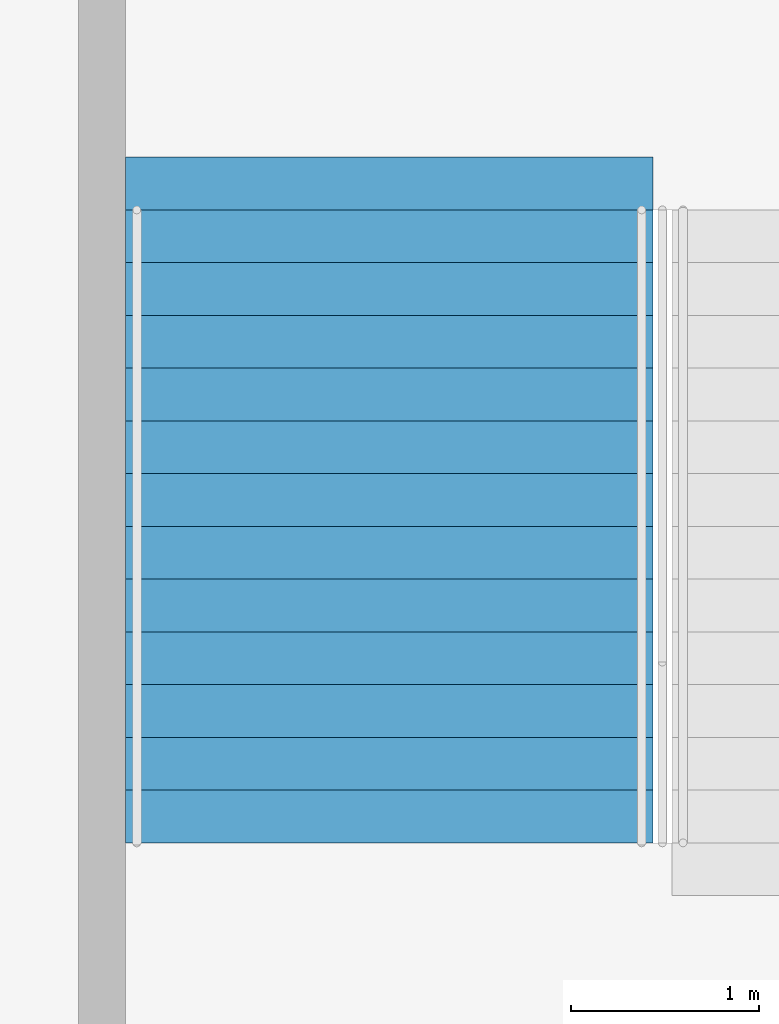
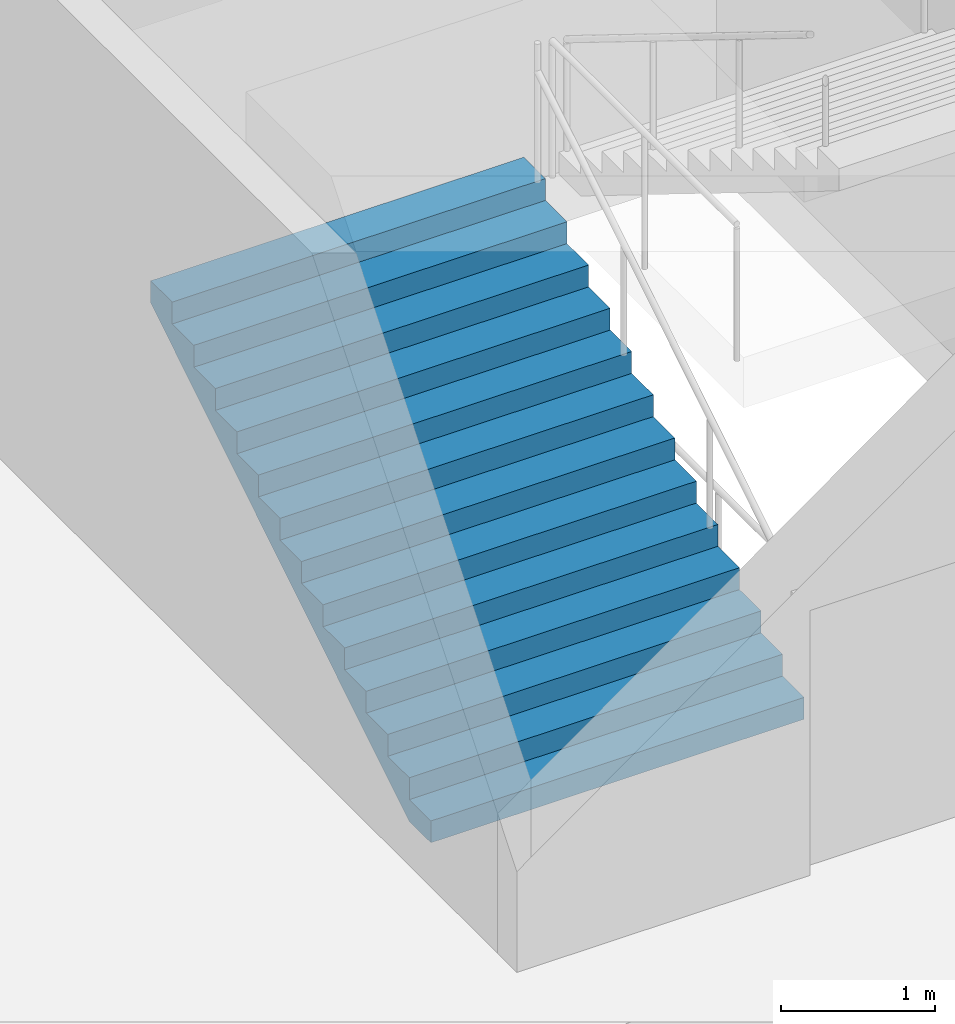
# One storey, part 167 of 199: 1 stair flight, 1 element without a shape of its own.
"""IFC4 building model written with IfcOpenShell, lengths in metres."""

from ifc_helpers import new_model, si_unit, direction, frame, origin, place, context, subcontext, project, spatial, faceted_brep, material, type_object, element, aggregate, save


model = new_model("IFC4")

# Units and contexts
model_context = context("Model", 3, precision=1e-05, world=origin(), true_north=direction((0.0, 1.0)))
body_context = subcontext(model_context, "Body", "Model", "MODEL_VIEW")
ifc_project = project(units=[si_unit("LENGTHUNIT", "METRE"), si_unit("AREAUNIT", "SQUARE_METRE"), si_unit("VOLUMEUNIT", "CUBIC_METRE"), si_unit("PLANEANGLEUNIT", "RADIAN"), si_unit("MASSUNIT", "GRAM", prefix="KILO")], contexts=[model_context])

# Site, building, storey
site_placement = place(None, origin())
site = spatial("IfcSite", under=ifc_project, at=site_placement, CompositionType="ELEMENT")
building_placement = place(site_placement, origin())
building = spatial("IfcBuilding", under=site, at=building_placement, Name="Ogive Plaza Stadium", CompositionType="ELEMENT")
storey_placement = place(building_placement, frame((0.0, 0.0, 9.0)))
storey = spatial("IfcBuildingStorey", under=building, at=storey_placement, Name="L02", CompositionType="ELEMENT", Elevation=9.0)

# Stair, stair flight
ifc_material_1 = material(Name="Concrete C40/50", Category="concrete")
stair_type = type_object("IfcStairType", Name="Exit stair", PredefinedType="STRAIGHT_RUN_STAIR", material=ifc_material_1)
stair_placement = place(storey_placement, origin())
stair = element("IfcStair", 1, at=stair_placement, inside=storey, type_object=stair_type, Name="Exit stair ST36B L02 to L03", PredefinedType="STRAIGHT_RUN_STAIR")
ifc_material_2 = material(Name="Concrete C40/50", Category="concrete")
stair_flight_type = type_object("IfcStairFlightType", Name="Exit stair flight", PredefinedType="STRAIGHT", material=ifc_material_2)
stair_flight_placement = place(storey_placement, frame((15.97509765625, 94.85009765625, 0.0), z_axis=(0.0, 0.0, 1.0), x_axis=(0.0, 1.0, 0.0)))
stair_flight = element("IfcStairFlight", 2, at=stair_flight_placement, type_object=stair_flight_type, Name="ST36B flight 1", NumberOfRisers=13, NumberOfTreads=12, PredefinedType="STRAIGHT", RiserHeight=0.173076923, TreadLength=0.28, context=body_context, shape_type="Brep", body=[
    faceted_brep([(0.28515625, -1.39990234375, 0.0), (3.639892578125, -1.39990234375, 2.07373046875), (3.639892578125, -1.39990234375, 2.25), (3.360107421875, -1.39990234375, 2.25), (3.360107421875, -1.39990234375, 2.076904296875), (3.080078125, -1.39990234375, 2.076904296875), (3.080078125, -1.39990234375, 1.90380859375), (2.800048828125, -1.39990234375, 1.90380859375), (2.800048828125, -1.39990234375, 1.730712890625), (2.52001953125, -1.39990234375, 1.730712890625), (2.52001953125, -1.39990234375, 1.5576171875), (2.239990234375, -1.39990234375, 1.5576171875), (2.239990234375, -1.39990234375, 1.384521484375), (1.9599609375, -1.39990234375, 1.384521484375), (1.9599609375, -1.39990234375, 1.21142578125), (1.679931640625, -1.39990234375, 1.21142578125), (1.679931640625, -1.39990234375, 1.03857421875), (1.39990234375, -1.39990234375, 1.03857421875), (1.39990234375, -1.39990234375, 0.865478515625), (1.1201171875, -1.39990234375, 0.865478515625), (1.1201171875, -1.39990234375, 0.6923828125), (0.840087890625, -1.39990234375, 0.6923828125), (0.840087890625, -1.39990234375, 0.519287109375), (0.56005859375, -1.39990234375, 0.519287109375), (0.56005859375, -1.39990234375, 0.34619140625), (0.280029296875, -1.39990234375, 0.34619140625), (0.280029296875, -1.39990234375, 0.173095703125), (0.0, -1.39990234375, 0.173095703125), (0.0, -1.39990234375, 0.0), (0.0, 1.39990234375, 0.0), (0.0, 1.39990234375, 0.173095703125), (0.280029296875, 1.39990234375, 0.173095703125), (0.280029296875, 1.39990234375, 0.34619140625), (0.56005859375, 1.39990234375, 0.34619140625), (0.56005859375, 1.39990234375, 0.519287109375), (0.840087890625, 1.39990234375, 0.519287109375), (0.840087890625, 1.39990234375, 0.6923828125), (1.1201171875, 1.39990234375, 0.6923828125), (1.1201171875, 1.39990234375, 0.865478515625), (1.39990234375, 1.39990234375, 0.865478515625), (1.39990234375, 1.39990234375, 1.03857421875), (1.679931640625, 1.39990234375, 1.03857421875), (1.679931640625, 1.39990234375, 1.21142578125), (1.9599609375, 1.39990234375, 1.21142578125), (1.9599609375, 1.39990234375, 1.384521484375), (2.239990234375, 1.39990234375, 1.384521484375), (2.239990234375, 1.39990234375, 1.5576171875), (2.52001953125, 1.39990234375, 1.5576171875), (2.52001953125, 1.39990234375, 1.730712890625), (2.800048828125, 1.39990234375, 1.730712890625), (2.800048828125, 1.39990234375, 1.90380859375), (3.080078125, 1.39990234375, 1.90380859375), (3.080078125, 1.39990234375, 2.076904296875), (3.360107421875, 1.39990234375, 2.076904296875), (3.360107421875, 1.39990234375, 2.25), (3.639892578125, 1.39990234375, 2.25), (3.639892578125, 1.39990234375, 2.07373046875), (0.28515625, 1.39990234375, 0.0), (0.28515625, -1.0888671875, 0.0), (3.639892578125, -1.0888671875, 2.07373046875), (0.28515625, -0.77783203125, 0.0), (3.639892578125, -0.77783203125, 2.07373046875), (0.28515625, -0.466796875, 0.0), (3.639892578125, -0.466796875, 2.07373046875), (0.28515625, -0.155517578125, 0.0), (3.639892578125, -0.155517578125, 2.07373046875), (0.28515625, 0.155517578125, 0.0), (3.639892578125, 0.155517578125, 2.07373046875), (0.28515625, 0.466796875, 0.0), (3.639892578125, 0.466796875, 2.07373046875), (0.28515625, 0.77783203125, 0.0), (3.639892578125, 0.77783203125, 2.07373046875), (0.28515625, 1.0888671875, 0.0), (3.639892578125, 1.0888671875, 2.07373046875), (3.639892578125, -1.0888671875, 2.25), (3.639892578125, -0.77783203125, 2.25), (3.639892578125, -0.466796875, 2.25), (3.639892578125, -0.155517578125, 2.25), (3.639892578125, 0.155517578125, 2.25), (3.639892578125, 0.466796875, 2.25), (3.639892578125, 0.77783203125, 2.25), (3.639892578125, 1.0888671875, 2.25), (3.360107421875, -1.0888671875, 2.25), (3.360107421875, -0.77783203125, 2.25), (3.360107421875, -0.466796875, 2.25), (3.360107421875, -0.155517578125, 2.25), (3.360107421875, 0.155517578125, 2.25), (3.360107421875, 0.466796875, 2.25), (3.360107421875, 0.77783203125, 2.25), (3.360107421875, 1.0888671875, 2.25), (3.360107421875, -1.0888671875, 2.076904296875), (3.360107421875, -0.77783203125, 2.076904296875), (3.360107421875, -0.466796875, 2.076904296875), (3.360107421875, -0.155517578125, 2.076904296875), (3.360107421875, 0.155517578125, 2.076904296875), (3.360107421875, 0.466796875, 2.076904296875), (3.360107421875, 0.77783203125, 2.076904296875), (3.360107421875, 1.0888671875, 2.076904296875), (3.080078125, -1.0888671875, 2.076904296875), (3.080078125, -0.77783203125, 2.076904296875), (3.080078125, -0.466796875, 2.076904296875), (3.080078125, -0.155517578125, 2.076904296875), (3.080078125, 0.155517578125, 2.076904296875), (3.080078125, 0.466796875, 2.076904296875), (3.080078125, 0.77783203125, 2.076904296875), (3.080078125, 1.0888671875, 2.076904296875), (3.080078125, -1.0888671875, 1.90380859375), (3.080078125, -0.77783203125, 1.90380859375), (3.080078125, -0.466796875, 1.90380859375), (3.080078125, -0.155517578125, 1.90380859375), (3.080078125, 0.155517578125, 1.90380859375), (3.080078125, 0.466796875, 1.90380859375), (3.080078125, 0.77783203125, 1.90380859375), (3.080078125, 1.0888671875, 1.90380859375), (2.800048828125, -1.0888671875, 1.90380859375), (2.800048828125, -0.77783203125, 1.90380859375), (2.800048828125, -0.466796875, 1.90380859375), (2.800048828125, -0.155517578125, 1.90380859375), (2.800048828125, 0.155517578125, 1.90380859375), (2.800048828125, 0.466796875, 1.90380859375), (2.800048828125, 0.77783203125, 1.90380859375), (2.800048828125, 1.0888671875, 1.90380859375), (2.800048828125, -1.0888671875, 1.730712890625), (2.800048828125, -0.77783203125, 1.730712890625), (2.800048828125, -0.466796875, 1.730712890625), (2.800048828125, -0.155517578125, 1.730712890625), (2.800048828125, 0.155517578125, 1.730712890625), (2.800048828125, 0.466796875, 1.730712890625), (2.800048828125, 0.77783203125, 1.730712890625), (2.800048828125, 1.0888671875, 1.730712890625), (2.52001953125, -1.0888671875, 1.730712890625), (2.52001953125, -0.77783203125, 1.730712890625), (2.52001953125, -0.466796875, 1.730712890625), (2.52001953125, -0.155517578125, 1.730712890625), (2.52001953125, 0.155517578125, 1.730712890625), (2.52001953125, 0.466796875, 1.730712890625), (2.52001953125, 0.77783203125, 1.730712890625), (2.52001953125, 1.0888671875, 1.730712890625), (2.52001953125, -1.0888671875, 1.5576171875), (2.52001953125, -0.77783203125, 1.5576171875), (2.52001953125, -0.466796875, 1.5576171875), (2.52001953125, -0.155517578125, 1.5576171875), (2.52001953125, 0.155517578125, 1.5576171875), (2.52001953125, 0.466796875, 1.5576171875), (2.52001953125, 0.77783203125, 1.5576171875), (2.52001953125, 1.0888671875, 1.5576171875), (2.239990234375, -1.0888671875, 1.5576171875), (2.239990234375, -0.77783203125, 1.5576171875), (2.239990234375, -0.466796875, 1.5576171875), (2.239990234375, -0.155517578125, 1.5576171875), (2.239990234375, 0.155517578125, 1.5576171875), (2.239990234375, 0.466796875, 1.5576171875), (2.239990234375, 0.77783203125, 1.5576171875), (2.239990234375, 1.0888671875, 1.5576171875), (2.239990234375, -1.0888671875, 1.384521484375), (2.239990234375, -0.77783203125, 1.384521484375), (2.239990234375, -0.466796875, 1.384521484375), (2.239990234375, -0.155517578125, 1.384521484375), (2.239990234375, 0.155517578125, 1.384521484375), (2.239990234375, 0.466796875, 1.384521484375), (2.239990234375, 0.77783203125, 1.384521484375), (2.239990234375, 1.0888671875, 1.384521484375), (1.9599609375, -1.0888671875, 1.384521484375), (1.9599609375, -0.77783203125, 1.384521484375), (1.9599609375, -0.466796875, 1.384521484375), (1.9599609375, -0.155517578125, 1.384521484375), (1.9599609375, 0.155517578125, 1.384521484375), (1.9599609375, 0.466796875, 1.384521484375), (1.9599609375, 0.77783203125, 1.384521484375), (1.9599609375, 1.0888671875, 1.384521484375), (1.9599609375, -1.0888671875, 1.21142578125), (1.9599609375, -0.77783203125, 1.21142578125), (1.9599609375, -0.466796875, 1.21142578125), (1.9599609375, -0.155517578125, 1.21142578125), (1.9599609375, 0.155517578125, 1.21142578125), (1.9599609375, 0.466796875, 1.21142578125), (1.9599609375, 0.77783203125, 1.21142578125), (1.9599609375, 1.0888671875, 1.21142578125), (1.679931640625, -1.0888671875, 1.21142578125), (1.679931640625, -0.77783203125, 1.21142578125), (1.679931640625, -0.466796875, 1.21142578125), (1.679931640625, -0.155517578125, 1.21142578125), (1.679931640625, 0.155517578125, 1.21142578125), (1.679931640625, 0.466796875, 1.21142578125), (1.679931640625, 0.77783203125, 1.21142578125), (1.679931640625, 1.0888671875, 1.21142578125), (1.679931640625, -1.0888671875, 1.03857421875), (1.679931640625, -0.77783203125, 1.03857421875), (1.679931640625, -0.466796875, 1.03857421875), (1.679931640625, -0.155517578125, 1.03857421875), (1.679931640625, 0.155517578125, 1.03857421875), (1.679931640625, 0.466796875, 1.03857421875), (1.679931640625, 0.77783203125, 1.03857421875), (1.679931640625, 1.0888671875, 1.03857421875), (1.39990234375, -1.0888671875, 1.03857421875), (1.39990234375, -0.77783203125, 1.03857421875), (1.39990234375, -0.466796875, 1.03857421875), (1.39990234375, -0.155517578125, 1.03857421875), (1.39990234375, 0.155517578125, 1.03857421875), (1.39990234375, 0.466796875, 1.03857421875), (1.39990234375, 0.77783203125, 1.03857421875), (1.39990234375, 1.0888671875, 1.03857421875), (1.39990234375, -1.0888671875, 0.865478515625), (1.39990234375, -0.77783203125, 0.865478515625), (1.39990234375, -0.466796875, 0.865478515625), (1.39990234375, -0.155517578125, 0.865478515625), (1.39990234375, 0.155517578125, 0.865478515625), (1.39990234375, 0.466796875, 0.865478515625), (1.39990234375, 0.77783203125, 0.865478515625), (1.39990234375, 1.0888671875, 0.865478515625), (1.1201171875, -1.0888671875, 0.865478515625), (1.1201171875, -0.77783203125, 0.865478515625), (1.1201171875, -0.466796875, 0.865478515625), (1.1201171875, -0.155517578125, 0.865478515625), (1.1201171875, 0.155517578125, 0.865478515625), (1.1201171875, 0.466796875, 0.865478515625), (1.1201171875, 0.77783203125, 0.865478515625), (1.1201171875, 1.0888671875, 0.865478515625), (1.1201171875, -1.0888671875, 0.6923828125), (1.1201171875, -0.77783203125, 0.6923828125), (1.1201171875, -0.466796875, 0.6923828125), (1.1201171875, -0.155517578125, 0.6923828125), (1.1201171875, 0.155517578125, 0.6923828125), (1.1201171875, 0.466796875, 0.6923828125), (1.1201171875, 0.77783203125, 0.6923828125), (1.1201171875, 1.0888671875, 0.6923828125), (0.840087890625, -1.0888671875, 0.6923828125), (0.840087890625, -0.77783203125, 0.6923828125), (0.840087890625, -0.466796875, 0.6923828125), (0.840087890625, -0.155517578125, 0.6923828125), (0.840087890625, 0.155517578125, 0.6923828125), (0.840087890625, 0.466796875, 0.6923828125), (0.840087890625, 0.77783203125, 0.6923828125), (0.840087890625, 1.0888671875, 0.6923828125), (0.840087890625, -1.0888671875, 0.519287109375), (0.840087890625, -0.77783203125, 0.519287109375), (0.840087890625, -0.466796875, 0.519287109375), (0.840087890625, -0.155517578125, 0.519287109375), (0.840087890625, 0.155517578125, 0.519287109375), (0.840087890625, 0.466796875, 0.519287109375), (0.840087890625, 0.77783203125, 0.519287109375), (0.840087890625, 1.0888671875, 0.519287109375), (0.56005859375, -1.0888671875, 0.519287109375), (0.56005859375, -0.77783203125, 0.519287109375), (0.56005859375, -0.466796875, 0.519287109375), (0.56005859375, -0.155517578125, 0.519287109375), (0.56005859375, 0.155517578125, 0.519287109375), (0.56005859375, 0.466796875, 0.519287109375), (0.56005859375, 0.77783203125, 0.519287109375), (0.56005859375, 1.0888671875, 0.519287109375), (0.56005859375, -1.0888671875, 0.34619140625), (0.56005859375, -0.77783203125, 0.34619140625), (0.56005859375, -0.466796875, 0.34619140625), (0.56005859375, -0.155517578125, 0.34619140625), (0.56005859375, 0.155517578125, 0.34619140625), (0.56005859375, 0.466796875, 0.34619140625), (0.56005859375, 0.77783203125, 0.34619140625), (0.56005859375, 1.0888671875, 0.34619140625), (0.280029296875, -1.0888671875, 0.34619140625), (0.280029296875, -0.77783203125, 0.34619140625), (0.280029296875, -0.466796875, 0.34619140625), (0.280029296875, -0.155517578125, 0.34619140625), (0.280029296875, 0.155517578125, 0.34619140625), (0.280029296875, 0.466796875, 0.34619140625), (0.280029296875, 0.77783203125, 0.34619140625), (0.280029296875, 1.0888671875, 0.34619140625), (0.280029296875, -1.0888671875, 0.173095703125), (0.280029296875, -0.77783203125, 0.173095703125), (0.280029296875, -0.466796875, 0.173095703125), (0.280029296875, -0.155517578125, 0.173095703125), (0.280029296875, 0.155517578125, 0.173095703125), (0.280029296875, 0.466796875, 0.173095703125), (0.280029296875, 0.77783203125, 0.173095703125), (0.280029296875, 1.0888671875, 0.173095703125), (0.0, -1.0888671875, 0.173095703125), (0.0, -0.77783203125, 0.173095703125), (0.0, -0.466796875, 0.173095703125), (0.0, -0.155517578125, 0.173095703125), (0.0, 0.155517578125, 0.173095703125), (0.0, 0.466796875, 0.173095703125), (0.0, 0.77783203125, 0.173095703125), (0.0, 1.0888671875, 0.173095703125), (0.0, -1.0888671875, 0.0), (0.0, -0.77783203125, 0.0), (0.0, -0.466796875, 0.0), (0.0, -0.155517578125, 0.0), (0.0, 0.155517578125, 0.0), (0.0, 0.466796875, 0.0), (0.0, 0.77783203125, 0.0), (0.0, 1.0888671875, 0.0)], [[[0, 1, 2, 3, 4, 5, 6, 7, 8, 9, 10, 11, 12, 13, 14, 15, 16, 17, 18, 19, 20, 21, 22, 23, 24, 25, 26, 27, 28]], [[29, 30, 31, 32, 33, 34, 35, 36, 37, 38, 39, 40, 41, 42, 43, 44, 45, 46, 47, 48, 49, 50, 51, 52, 53, 54, 55, 56, 57]], [[0, 58, 59, 1]], [[58, 60, 61, 59]], [[60, 62, 63, 61]], [[62, 64, 65, 63]], [[64, 66, 67, 65]], [[66, 68, 69, 67]], [[68, 70, 71, 69]], [[70, 72, 73, 71]], [[72, 57, 56, 73]], [[1, 59, 74, 2]], [[59, 61, 75, 74]], [[61, 63, 76, 75]], [[63, 65, 77, 76]], [[65, 67, 78, 77]], [[67, 69, 79, 78]], [[69, 71, 80, 79]], [[71, 73, 81, 80]], [[73, 56, 55, 81]], [[2, 74, 82, 3]], [[74, 75, 83, 82]], [[75, 76, 84, 83]], [[76, 77, 85, 84]], [[77, 78, 86, 85]], [[78, 79, 87, 86]], [[79, 80, 88, 87]], [[80, 81, 89, 88]], [[81, 55, 54, 89]], [[3, 82, 90, 4]], [[82, 83, 91, 90]], [[83, 84, 92, 91]], [[84, 85, 93, 92]], [[85, 86, 94, 93]], [[86, 87, 95, 94]], [[87, 88, 96, 95]], [[88, 89, 97, 96]], [[89, 54, 53, 97]], [[4, 90, 98, 5]], [[90, 91, 99, 98]], [[91, 92, 100, 99]], [[92, 93, 101, 100]], [[93, 94, 102, 101]], [[94, 95, 103, 102]], [[95, 96, 104, 103]], [[96, 97, 105, 104]], [[97, 53, 52, 105]], [[5, 98, 106, 6]], [[98, 99, 107, 106]], [[99, 100, 108, 107]], [[100, 101, 109, 108]], [[101, 102, 110, 109]], [[102, 103, 111, 110]], [[103, 104, 112, 111]], [[104, 105, 113, 112]], [[105, 52, 51, 113]], [[6, 106, 114, 7]], [[106, 107, 115, 114]], [[107, 108, 116, 115]], [[108, 109, 117, 116]], [[109, 110, 118, 117]], [[110, 111, 119, 118]], [[111, 112, 120, 119]], [[112, 113, 121, 120]], [[113, 51, 50, 121]], [[7, 114, 122, 8]], [[114, 115, 123, 122]], [[115, 116, 124, 123]], [[116, 117, 125, 124]], [[117, 118, 126, 125]], [[118, 119, 127, 126]], [[119, 120, 128, 127]], [[120, 121, 129, 128]], [[121, 50, 49, 129]], [[8, 122, 130, 9]], [[122, 123, 131, 130]], [[123, 124, 132, 131]], [[124, 125, 133, 132]], [[125, 126, 134, 133]], [[126, 127, 135, 134]], [[127, 128, 136, 135]], [[128, 129, 137, 136]], [[129, 49, 48, 137]], [[9, 130, 138, 10]], [[130, 131, 139, 138]], [[131, 132, 140, 139]], [[132, 133, 141, 140]], [[133, 134, 142, 141]], [[134, 135, 143, 142]], [[135, 136, 144, 143]], [[136, 137, 145, 144]], [[137, 48, 47, 145]], [[10, 138, 146, 11]], [[138, 139, 147, 146]], [[139, 140, 148, 147]], [[140, 141, 149, 148]], [[141, 142, 150, 149]], [[142, 143, 151, 150]], [[143, 144, 152, 151]], [[144, 145, 153, 152]], [[145, 47, 46, 153]], [[11, 146, 154, 12]], [[146, 147, 155, 154]], [[147, 148, 156, 155]], [[148, 149, 157, 156]], [[149, 150, 158, 157]], [[150, 151, 159, 158]], [[151, 152, 160, 159]], [[152, 153, 161, 160]], [[153, 46, 45, 161]], [[12, 154, 162, 13]], [[154, 155, 163, 162]], [[155, 156, 164, 163]], [[156, 157, 165, 164]], [[157, 158, 166, 165]], [[158, 159, 167, 166]], [[159, 160, 168, 167]], [[160, 161, 169, 168]], [[161, 45, 44, 169]], [[13, 162, 170, 14]], [[162, 163, 171, 170]], [[163, 164, 172, 171]], [[164, 165, 173, 172]], [[165, 166, 174, 173]], [[166, 167, 175, 174]], [[167, 168, 176, 175]], [[168, 169, 177, 176]], [[169, 44, 43, 177]], [[14, 170, 178, 15]], [[170, 171, 179, 178]], [[171, 172, 180, 179]], [[172, 173, 181, 180]], [[173, 174, 182, 181]], [[174, 175, 183, 182]], [[175, 176, 184, 183]], [[176, 177, 185, 184]], [[177, 43, 42, 185]], [[15, 178, 186, 16]], [[178, 179, 187, 186]], [[179, 180, 188, 187]], [[180, 181, 189, 188]], [[181, 182, 190, 189]], [[182, 183, 191, 190]], [[183, 184, 192, 191]], [[184, 185, 193, 192]], [[185, 42, 41, 193]], [[16, 186, 194, 17]], [[186, 187, 195, 194]], [[187, 188, 196, 195]], [[188, 189, 197, 196]], [[189, 190, 198, 197]], [[190, 191, 199, 198]], [[191, 192, 200, 199]], [[192, 193, 201, 200]], [[193, 41, 40, 201]], [[17, 194, 202, 18]], [[194, 195, 203, 202]], [[195, 196, 204, 203]], [[196, 197, 205, 204]], [[197, 198, 206, 205]], [[198, 199, 207, 206]], [[199, 200, 208, 207]], [[200, 201, 209, 208]], [[201, 40, 39, 209]], [[18, 202, 210, 19]], [[202, 203, 211, 210]], [[203, 204, 212, 211]], [[204, 205, 213, 212]], [[205, 206, 214, 213]], [[206, 207, 215, 214]], [[207, 208, 216, 215]], [[208, 209, 217, 216]], [[209, 39, 38, 217]], [[19, 210, 218, 20]], [[210, 211, 219, 218]], [[211, 212, 220, 219]], [[212, 213, 221, 220]], [[213, 214, 222, 221]], [[214, 215, 223, 222]], [[215, 216, 224, 223]], [[216, 217, 225, 224]], [[217, 38, 37, 225]], [[20, 218, 226, 21]], [[218, 219, 227, 226]], [[219, 220, 228, 227]], [[220, 221, 229, 228]], [[221, 222, 230, 229]], [[222, 223, 231, 230]], [[223, 224, 232, 231]], [[224, 225, 233, 232]], [[225, 37, 36, 233]], [[21, 226, 234, 22]], [[226, 227, 235, 234]], [[227, 228, 236, 235]], [[228, 229, 237, 236]], [[229, 230, 238, 237]], [[230, 231, 239, 238]], [[231, 232, 240, 239]], [[232, 233, 241, 240]], [[233, 36, 35, 241]], [[22, 234, 242, 23]], [[234, 235, 243, 242]], [[235, 236, 244, 243]], [[236, 237, 245, 244]], [[237, 238, 246, 245]], [[238, 239, 247, 246]], [[239, 240, 248, 247]], [[240, 241, 249, 248]], [[241, 35, 34, 249]], [[23, 242, 250, 24]], [[242, 243, 251, 250]], [[243, 244, 252, 251]], [[244, 245, 253, 252]], [[245, 246, 254, 253]], [[246, 247, 255, 254]], [[247, 248, 256, 255]], [[248, 249, 257, 256]], [[249, 34, 33, 257]], [[24, 250, 258, 25]], [[250, 251, 259, 258]], [[251, 252, 260, 259]], [[252, 253, 261, 260]], [[253, 254, 262, 261]], [[254, 255, 263, 262]], [[255, 256, 264, 263]], [[256, 257, 265, 264]], [[257, 33, 32, 265]], [[25, 258, 266, 26]], [[258, 259, 267, 266]], [[259, 260, 268, 267]], [[260, 261, 269, 268]], [[261, 262, 270, 269]], [[262, 263, 271, 270]], [[263, 264, 272, 271]], [[264, 265, 273, 272]], [[265, 32, 31, 273]], [[26, 266, 274, 27]], [[266, 267, 275, 274]], [[267, 268, 276, 275]], [[268, 269, 277, 276]], [[269, 270, 278, 277]], [[270, 271, 279, 278]], [[271, 272, 280, 279]], [[272, 273, 281, 280]], [[273, 31, 30, 281]], [[27, 274, 282, 28]], [[274, 275, 283, 282]], [[275, 276, 284, 283]], [[276, 277, 285, 284]], [[277, 278, 286, 285]], [[278, 279, 287, 286]], [[279, 280, 288, 287]], [[280, 281, 289, 288]], [[281, 30, 29, 289]], [[28, 282, 58, 0]], [[282, 283, 60, 58]], [[283, 284, 62, 60]], [[284, 285, 64, 62]], [[285, 286, 66, 64]], [[286, 287, 68, 66]], [[287, 288, 70, 68]], [[288, 289, 72, 70]], [[289, 29, 57, 72]]]),
])
aggregate(stair, [stair_flight])

save(model, "model.ifc")
